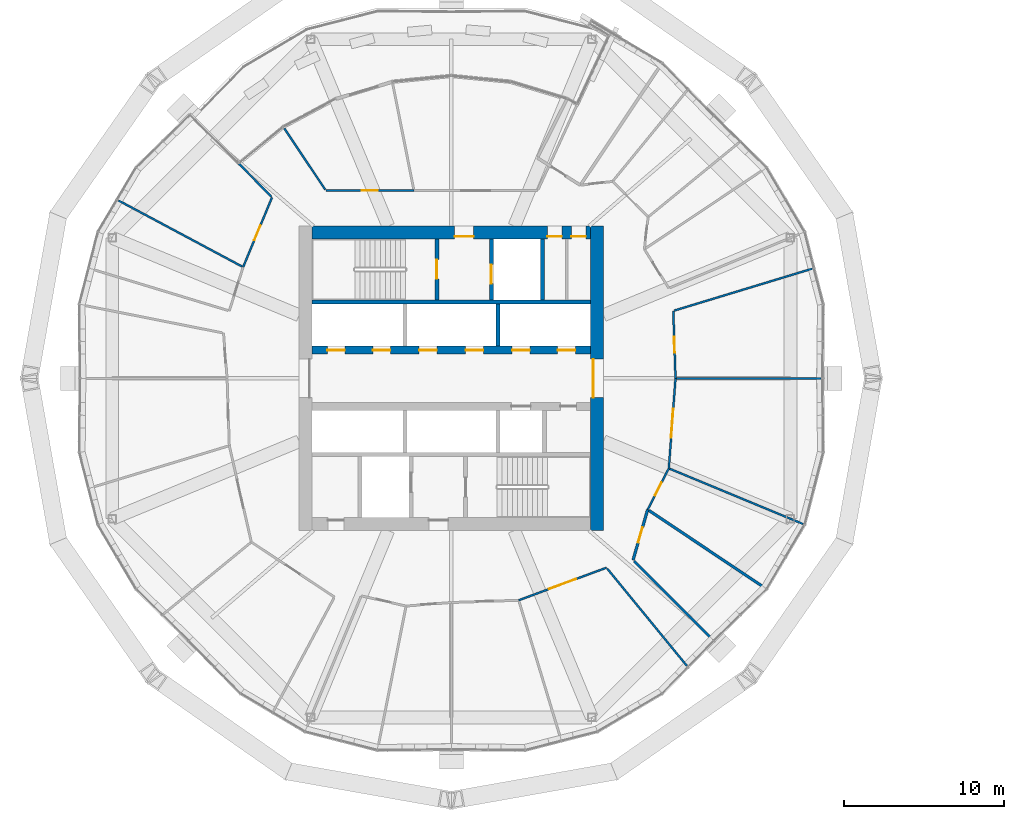
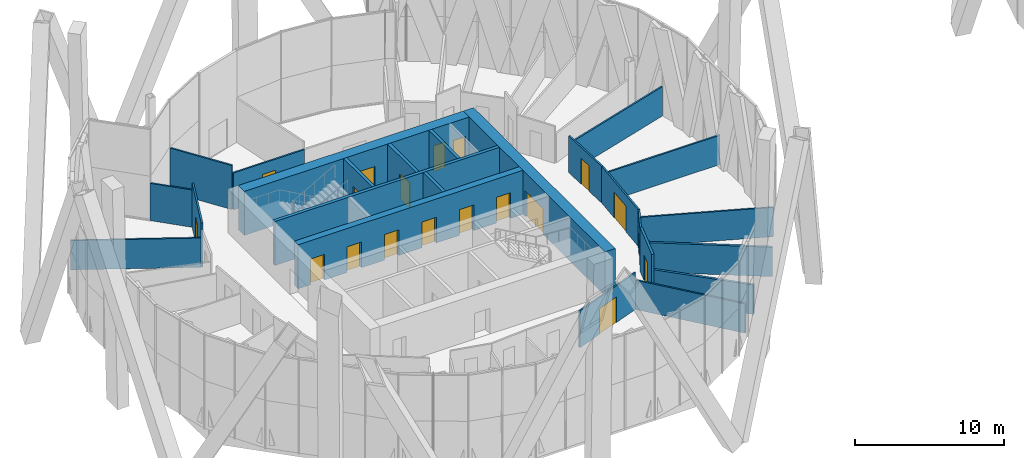
# One storey, part 23 of 31: 24 walls, 19 doors, 19 openings.
"""IFC4 building model written with IfcOpenShell, lengths in metres."""

from ifc_helpers import new_model, si_unit, direction, frame, frame_2d, origin, place, context, subcontext, project, spatial, rectangle, extrude, material, layer, layer_set, type_object, element, fill, save


model = new_model("IFC4")

# Units and contexts
model_context = context("Model", 3, precision=1e-05, world=origin(), true_north=direction((0.0, 1.0)))
body_context = subcontext(model_context, "Body", "Model", "MODEL_VIEW")
ifc_project = project(units=[si_unit("LENGTHUNIT", "METRE"), si_unit("AREAUNIT", "SQUARE_METRE"), si_unit("VOLUMEUNIT", "CUBIC_METRE"), si_unit("PLANEANGLEUNIT", "RADIAN"), si_unit("MASSUNIT", "GRAM", prefix="KILO")], contexts=[model_context])

# Site, building, storey
site_placement = place(None, origin())
site = spatial("IfcSite", under=ifc_project, at=site_placement, CompositionType="ELEMENT")
building_placement = place(site_placement, origin())
building = spatial("IfcBuilding", under=site, at=building_placement, Name="Ogive Gate Towers", CompositionType="ELEMENT")
storey_placement = place(building_placement, frame((0.0, 0.0, 55.800048828125)))
storey = spatial("IfcBuildingStorey", under=building, at=storey_placement, Name="L12", CompositionType="ELEMENT", Elevation=55.800048828125)

# Walls
ifc_material_1 = material(Name="Gypsum board acoustic partition")
ifc_layer_1 = layer(ifc_material_1, 0.175048828125)
ifc_layer_set_1 = layer_set([ifc_layer_1], Name="Acoustic partition 175")
wall_type_1 = type_object("IfcWallType", Name="Acoustic partition 175", PredefinedType="PARTITIONING", material=ifc_layer_set_1)
wall_1_placement = place(storey_placement, frame((-19.69482421875, -16.30517578125, 0.0), z_axis=(0.0, 0.0, 1.0), x_axis=(-0.707106781187, 0.707106781187, 0.0)))
element("IfcWall", 1, at=wall_1_placement, inside=storey, type_object=wall_type_1, Name="Partition T1-L12-025", PredefinedType="PARTITIONING", context=body_context, shape_type="SweptSolid", body=[
    extrude(rectangle(XDim=6.931640625, YDim=0.175048828125, at=frame_2d((3.4658203125, 0.0))), origin(), (0.0, 0.0, 1.0), 2.39990234375),
])
wall_2_placement = place(storey_placement, frame((-16.415283203125, -13.095458984375, 0.0), z_axis=(0.0, 0.0, 1.0), x_axis=(-0.831288104006, 0.555841783368, 0.0)))
element("IfcWall", 2, at=wall_2_placement, inside=storey, type_object=wall_type_1, Name="Partition T1-L12-026", PredefinedType="PARTITIONING", context=body_context, shape_type="SweptSolid", body=[
    extrude(rectangle(XDim=8.7314453125, YDim=0.175048828125, at=frame_2d((4.36572265625, 0.0))), origin(), (0.0, 0.0, 1.0), 2.39990234375),
])

# Wall, opening, door
wall_3_placement = place(storey_placement, frame((-23.746337890625, -8.193359375, 0.0), z_axis=(0.0, 0.0, 1.0), x_axis=(-0.278103286916, -0.960551176048, 0.0)))
wall_3 = element("IfcWall", 3, at=wall_3_placement, inside=storey, type_object=wall_type_1, Name="Partition T1-L12-040", PredefinedType="PARTITIONING", context=body_context, shape_type="SweptSolid", body=[
    extrude(rectangle(XDim=3.278076171875, YDim=0.175048828125, at=frame_2d((1.63916015625, 0.0))), origin(), (0.0, 0.0, 1.0), 3.599853515625),
])
opening_1_placement = place(wall_3_placement, frame((1.138916015625, 0.0, 0.0)))
opening_1 = element("IfcOpeningElement", 4, at=opening_1_placement, cuts=wall_3, Name="Opening T1-L12-D13", PredefinedType="OPENING", context=body_context, shape_type="SweptSolid", body=[
    extrude(rectangle(XDim=1.0, YDim=2.10009765625, at=frame_2d((0.5, 1.050048828125))), frame((0.0, 0.09765625, 0.0), z_axis=(0.0, -1.0, 0.0), x_axis=(1.0, 0.0, 0.0)), (0.0, 0.0, 1.0), 0.195068359375),
])
ifc_material_2 = material(Name="Timber door", Category="wood")
door_type_1 = type_object("IfcDoorType", Name="Door 1000", OperationType="NOTDEFINED", PredefinedType="DOOR", material=ifc_material_2)
door_1_placement = place(opening_1_placement, origin())
door_1 = element("IfcDoor", 5, at=door_1_placement, inside=storey, type_object=door_type_1, Name="Door T1-L12-D13", OperationType="SINGLE_SWING_LEFT", OverallHeight=2.10009765625, OverallWidth=1.0, PredefinedType="DOOR", context=body_context, shape_type="SweptSolid", body=[
    extrude(rectangle(XDim=1.0, YDim=2.10009765625, at=frame_2d((0.5, 1.050048828125))), frame((0.0, 0.02490234375, 0.0), z_axis=(0.0, -1.0, 0.0), x_axis=(1.0, 0.0, 0.0)), (0.0, 0.0, 1.0), 0.050048828125),
])
fill(opening_1, door_1)

# Wall, openings, doors
ifc_material_3 = material(Name="Concrete C60/75", Category="concrete")
ifc_layer_2 = layer(ifc_material_3, 0.800048828125)
ifc_layer_set_2 = layer_set([ifc_layer_2], Name="Core wall 800 mm")
wall_type_2 = type_object("IfcWallType", Name="Core wall 800 mm", PredefinedType="SHEAR", material=ifc_layer_set_2)
wall_4_placement = place(storey_placement, frame((-44.699951171875, 9.10009765625, 0.0), z_axis=(0.0, 0.0, 1.0), x_axis=(1.0, 0.0, 0.0)))
wall_4 = element("IfcWall", 6, at=wall_4_placement, inside=storey, type_object=wall_type_2, Name="T1 L12 Core wall 800 mm", PredefinedType="SHEAR", context=body_context, shape_type="SweptSolid", body=[
    extrude(rectangle(XDim=17.39990234375, YDim=0.800048828125, at=frame_2d((8.699951171875, 0.0))), origin(), (0.0, 0.0, 1.0), 3.599853515625),
])
opening_2_placement = place(wall_4_placement, frame((8.89990234375, 0.0, 0.0)))
opening_2 = element("IfcOpeningElement", 7, at=opening_2_placement, cuts=wall_4, Name="Opening KD-T1-L12-15", PredefinedType="OPENING", context=body_context, shape_type="SweptSolid", body=[
    extrude(rectangle(XDim=1.199951171875, YDim=2.10009765625, at=frame_2d((0.60009765625, 1.050048828125))), frame((0.0, 0.41015625, 0.0), z_axis=(0.0, -1.0, 0.0), x_axis=(1.0, 0.0, 0.0)), (0.0, 0.0, 1.0), 0.820068359375),
])
opening_3_placement = place(wall_4_placement, frame((14.699951171875, 0.0, 0.0)))
opening_3 = element("IfcOpeningElement", 8, at=opening_3_placement, cuts=wall_4, Name="Opening KD-T1-L12-17", PredefinedType="OPENING", context=body_context, shape_type="SweptSolid", body=[
    extrude(rectangle(XDim=0.89990234375, YDim=2.10009765625, at=frame_2d((0.449951171875, 1.050048828125))), frame((0.0, 0.41015625, 0.0), z_axis=(0.0, -1.0, 0.0), x_axis=(1.0, 0.0, 0.0)), (0.0, 0.0, 1.0), 0.820068359375),
])
opening_4_placement = place(wall_4_placement, frame((16.199951171875, 0.0, 0.0)))
opening_4 = element("IfcOpeningElement", 9, at=opening_4_placement, cuts=wall_4, Name="Opening KD-T1-L12-18", PredefinedType="OPENING", context=body_context, shape_type="SweptSolid", body=[
    extrude(rectangle(XDim=0.89990234375, YDim=2.10009765625, at=frame_2d((0.449951171875, 1.050048828125))), frame((0.0, 0.41015625, 0.0), z_axis=(0.0, -1.0, 0.0), x_axis=(1.0, 0.0, 0.0)), (0.0, 0.0, 1.0), 0.820068359375),
])
door_type_2 = type_object("IfcDoorType", Name="Core WC door 900 x 2100", OperationType="NOTDEFINED", PredefinedType="DOOR", material=ifc_material_2)
door_2_placement = place(opening_3_placement, origin())
door_2 = element("IfcDoor", 10, at=door_2_placement, inside=storey, type_object=door_type_2, Name="T1 L12 Core door", OperationType="SINGLE_SWING_RIGHT", OverallHeight=2.10009765625, OverallWidth=0.89990234375, PredefinedType="DOOR", context=body_context, shape_type="SweptSolid", body=[
    extrude(rectangle(XDim=0.89990234375, YDim=2.10009765625, at=frame_2d((0.449951171875, 1.050048828125))), frame((0.0, -0.22509765625, 0.0), z_axis=(0.0, -1.0, 0.0), x_axis=(1.0, 0.0, 0.0)), (0.0, 0.0, 1.0), 0.050048828125),
])
fill(opening_3, door_2)
door_3_placement = place(opening_4_placement, origin())
door_3 = element("IfcDoor", 11, at=door_3_placement, inside=storey, type_object=door_type_2, Name="T1 L12 Core door", OperationType="SINGLE_SWING_LEFT", OverallHeight=2.10009765625, OverallWidth=0.89990234375, PredefinedType="DOOR", context=body_context, shape_type="SweptSolid", body=[
    extrude(rectangle(XDim=0.89990234375, YDim=2.10009765625, at=frame_2d((0.449951171875, 1.050048828125))), frame((0.0, -0.22509765625, 0.0), z_axis=(0.0, -1.0, 0.0), x_axis=(1.0, 0.0, 0.0)), (0.0, 0.0, 1.0), 0.050048828125),
])
fill(opening_4, door_3)
ifc_material_4 = material(Name="Steel fire door", Category="steel")
door_type_3 = type_object("IfcDoorType", Name="Core door FD60S 1200 x 2100", OperationType="NOTDEFINED", PredefinedType="DOOR", material=ifc_material_4)
door_4_placement = place(opening_2_placement, origin())
door_4 = element("IfcDoor", 12, at=door_4_placement, inside=storey, type_object=door_type_3, Name="T1 L12 Fire-fighting lobby door", OperationType="SINGLE_SWING_RIGHT", OverallHeight=2.10009765625, OverallWidth=1.199951171875, PredefinedType="DOOR", context=body_context, shape_type="SweptSolid", body=[
    extrude(rectangle(XDim=1.199951171875, YDim=2.10009765625, at=frame_2d((0.60009765625, 1.050048828125))), frame((0.0, -0.22509765625, 0.0), z_axis=(0.0, -1.0, 0.0), x_axis=(1.0, 0.0, 0.0)), (0.0, 0.0, 1.0), 0.050048828125),
])
fill(opening_2, door_4)

# Wall, opening, door
wall_5_placement = place(storey_placement, frame((-26.89990234375, -9.5, 0.0), z_axis=(0.0, 0.0, 1.0), x_axis=(0.0, 1.0, 0.0)))
wall_5 = element("IfcWall", 13, at=wall_5_placement, inside=storey, type_object=wall_type_2, Name="T1 L12 Core wall 800 mm", PredefinedType="SHEAR", context=body_context, shape_type="SweptSolid", body=[
    extrude(rectangle(XDim=19.0, YDim=0.800048828125, at=frame_2d((9.5, 0.0))), origin(), (0.0, 0.0, 1.0), 3.599853515625),
])
opening_5_placement = place(wall_5_placement, frame((8.300048828125, 0.0, 0.0)))
opening_5 = element("IfcOpeningElement", 14, at=opening_5_placement, cuts=wall_5, Name="Opening KD-T1-L12-02", PredefinedType="OPENING", context=body_context, shape_type="SweptSolid", body=[
    extrude(rectangle(XDim=2.39990234375, YDim=2.10009765625, at=frame_2d((1.199951171875, 1.050048828125))), frame((0.0, 0.41015625, 0.0), z_axis=(0.0, -1.0, 0.0), x_axis=(1.0, 0.0, 0.0)), (0.0, 0.0, 1.0), 0.820068359375),
])
door_type_4 = type_object("IfcDoorType", Name="Core double door FD60S 2400 x 2100", OperationType="DOUBLE_DOOR_SINGLE_SWING", PredefinedType="DOOR", material=ifc_material_4)
door_5_placement = place(opening_5_placement, origin())
door_5 = element("IfcDoor", 15, at=door_5_placement, inside=storey, type_object=door_type_4, Name="T1 L12 Core door double", OperationType="DOUBLE_DOOR_SINGLE_SWING", OverallHeight=2.10009765625, OverallWidth=2.39990234375, PredefinedType="DOOR", context=body_context, shape_type="SweptSolid", body=[
    extrude(rectangle(XDim=2.39990234375, YDim=2.10009765625, at=frame_2d((1.199951171875, 1.050048828125))), frame((0.0, 0.27490234375, 0.0), z_axis=(0.0, -1.0, 0.0), x_axis=(1.0, 0.0, 0.0)), (0.0, 0.0, 1.0), 0.050048828125),
])
fill(opening_5, door_5)

# Walls
ifc_material_5 = material(Name="Gypsum board partition")
ifc_layer_3 = layer(ifc_material_5, 0.125)
ifc_layer_set_3 = layer_set([ifc_layer_3], Name="Partition 125")
wall_type_3 = type_object("IfcWallType", Name="Partition 125", PredefinedType="PARTITIONING", material=ifc_layer_set_3)
wall_6_placement = place(storey_placement, frame((-12.94091796875, 0.0, 0.0), z_axis=(0.0, 0.0, 1.0), x_axis=(-1.0, 0.0, 0.0)))
element("IfcWall", 16, at=wall_6_placement, inside=storey, type_object=wall_type_3, Name="Partition T1-L12-001", PredefinedType="PARTITIONING", context=body_context, shape_type="SweptSolid", body=[
    extrude(rectangle(XDim=9.006591796875, YDim=0.125, at=frame_2d((4.50341796875, 0.0))), origin(), (0.0, 0.0, 1.0), 2.39990234375),
])
wall_7_placement = place(storey_placement, frame((-13.470458984375, 6.840576171875, 0.0), z_axis=(0.0, 0.0, 1.0), x_axis=(-0.956863756585, -0.290537005102, 0.0)))
element("IfcWall", 17, at=wall_7_placement, inside=storey, type_object=wall_type_3, Name="Partition T1-L12-002", PredefinedType="PARTITIONING", context=body_context, shape_type="SweptSolid", body=[
    extrude(rectangle(XDim=9.00634765625, YDim=0.125, at=frame_2d((4.503173828125, 0.0))), origin(), (0.0, 0.0, 1.0), 2.39990234375),
])
wall_8_placement = place(storey_placement, frame((-46.422119140625, 15.597900390625, 0.0), z_axis=(0.0, 0.0, 1.0), x_axis=(0.555556071931, -0.831479074265, 0.0)))
element("IfcWall", 18, at=wall_8_placement, inside=storey, type_object=wall_type_3, Name="Partition T1-L12-011", PredefinedType="PARTITIONING", context=body_context, shape_type="SweptSolid", body=[
    extrude(rectangle(XDim=4.6064453125, YDim=0.125, at=frame_2d((2.30322265625, 0.0))), origin(), (0.0, 0.0, 1.0), 3.599853515625),
])
wall_9_placement = place(storey_placement, frame((-49.2587890625, 13.400146484375, 0.0), z_axis=(0.0, 0.0, 1.0), x_axis=(0.699487753661, -0.714644584726, 0.0)))
element("IfcWall", 19, at=wall_9_placement, inside=storey, type_object=wall_type_3, Name="Partition T1-L12-012", PredefinedType="PARTITIONING", context=body_context, shape_type="SweptSolid", body=[
    extrude(rectangle(XDim=2.8994140625, YDim=0.125, at=frame_2d((1.44970703125, 0.0))), origin(), (0.0, 0.0, 1.0), 3.050048828125),
])
wall_10_placement = place(storey_placement, frame((-56.767578125, 11.09375, 0.0), z_axis=(0.0, 0.0, 1.0), x_axis=(0.882040161842, -0.471174227753, 0.0)))
element("IfcWall", 20, at=wall_10_placement, inside=storey, type_object=wall_type_3, Name="Partition T1-L12-013", PredefinedType="PARTITIONING", context=body_context, shape_type="SweptSolid", body=[
    extrude(rectangle(XDim=8.75634765625, YDim=0.125, at=frame_2d((4.378173828125, 0.0))), origin(), (0.0, 0.0, 1.0), 2.39990234375),
])
wall_11_placement = place(storey_placement, frame((-21.300048828125, -17.944580078125, 0.0), z_axis=(0.0, 0.0, 1.0), x_axis=(-0.63370640986, 0.773573646205, 0.0)))
element("IfcWall", 21, at=wall_11_placement, inside=storey, type_object=wall_type_3, Name="Partition T1-L12-024", PredefinedType="PARTITIONING", context=body_context, shape_type="SweptSolid", body=[
    extrude(rectangle(XDim=7.856689453125, YDim=0.125, at=frame_2d((3.92822265625, 0.0))), origin(), (0.0, 0.0, 1.0), 2.39990234375),
])
wall_12_placement = place(storey_placement, frame((-14.048583984375, -9.092529296875, 0.0), z_axis=(0.0, 0.0, 1.0), x_axis=(-0.923881704543, 0.382678188575, 0.0)))
element("IfcWall", 22, at=wall_12_placement, inside=storey, type_object=wall_type_3, Name="Partition T1-L12-027", PredefinedType="PARTITIONING", context=body_context, shape_type="SweptSolid", body=[
    extrude(rectangle(XDim=9.00634765625, YDim=0.125, at=frame_2d((4.503173828125, 0.0))), origin(), (0.0, 0.0, 1.0), 2.39990234375),
])

# Wall, opening, door
wall_13_placement = place(storey_placement, frame((-48.989013671875, 6.9384765625, 0.0), z_axis=(0.0, 0.0, 1.0), x_axis=(0.383118712988, 0.923699113217, 0.0)))
wall_13 = element("IfcWall", 23, at=wall_13_placement, inside=storey, type_object=wall_type_3, Name="Partition T1-L12-029", PredefinedType="PARTITIONING", context=body_context, shape_type="SweptSolid", body=[
    extrude(rectangle(XDim=4.7041015625, YDim=0.125, at=frame_2d((2.35205078125, 0.0))), origin(), (0.0, 0.0, 1.0), 3.599853515625),
])
opening_6_placement = place(wall_13_placement, frame((1.818115234375, 0.0, 0.0)))
opening_6 = element("IfcOpeningElement", 24, at=opening_6_placement, cuts=wall_13, Name="Opening T1-L12-D02", PredefinedType="OPENING", context=body_context, shape_type="SweptSolid", body=[
    extrude(rectangle(XDim=1.0, YDim=2.10009765625, at=frame_2d((0.5, 1.050048828125))), frame((0.0, 0.072509765625, 0.0), z_axis=(0.0, -1.0, 0.0), x_axis=(1.0, 0.0, 0.0)), (0.0, 0.0, 1.0), 0.14501953125),
])
door_6_placement = place(opening_6_placement, origin())
door_6 = element("IfcDoor", 25, at=door_6_placement, inside=storey, type_object=door_type_1, Name="Door T1-L12-D02", OperationType="SINGLE_SWING_LEFT", OverallHeight=2.10009765625, OverallWidth=1.0, PredefinedType="DOOR", context=body_context, shape_type="SweptSolid", body=[
    extrude(rectangle(XDim=1.0, YDim=2.10009765625, at=frame_2d((0.5, 1.050048828125))), frame((0.0, 0.02490234375, 0.0), z_axis=(0.0, -1.0, 0.0), x_axis=(1.0, 0.0, 0.0)), (0.0, 0.0, 1.0), 0.050048828125),
])
fill(opening_6, door_6)

wall_14_placement = place(storey_placement, frame((-43.828125, 11.7158203125, 0.0), z_axis=(0.0, 0.0, 1.0), x_axis=(0.999999644153, -0.000843619272, 0.0)))
wall_14 = element("IfcWall", 26, at=wall_14_placement, inside=storey, type_object=wall_type_3, Name="Partition T1-L12-030", PredefinedType="PARTITIONING", context=body_context, shape_type="SweptSolid", body=[
    extrude(rectangle(XDim=5.49853515625, YDim=0.125, at=frame_2d((2.749267578125, 0.0))), origin(), (0.0, 0.0, 1.0), 3.010009765625),
])
opening_7_placement = place(wall_14_placement, frame((2.2490234375, 0.0, 0.0)))
opening_7 = element("IfcOpeningElement", 27, at=opening_7_placement, cuts=wall_14, Name="Opening T1-L12-D03", PredefinedType="OPENING", context=body_context, shape_type="SweptSolid", body=[
    extrude(rectangle(XDim=1.0, YDim=2.10009765625, at=frame_2d((0.5, 1.050048828125))), frame((0.0, 0.072509765625, 0.0), z_axis=(0.0, -1.0, 0.0), x_axis=(1.0, 0.0, 0.0)), (0.0, 0.0, 1.0), 0.14501953125),
])
door_7_placement = place(opening_7_placement, origin())
door_7 = element("IfcDoor", 28, at=door_7_placement, inside=storey, type_object=door_type_1, Name="Door T1-L12-D03", OperationType="SINGLE_SWING_RIGHT", OverallHeight=2.10009765625, OverallWidth=1.0, PredefinedType="DOOR", context=body_context, shape_type="SweptSolid", body=[
    extrude(rectangle(XDim=1.0, YDim=2.10009765625, at=frame_2d((0.5, 1.050048828125))), frame((0.0, 0.02490234375, 0.0), z_axis=(0.0, -1.0, 0.0), x_axis=(1.0, 0.0, 0.0)), (0.0, 0.0, 1.0), 0.050048828125),
])
fill(opening_7, door_7)

wall_15_placement = place(storey_placement, frame((-22.148193359375, 4.205810546875, 0.0), z_axis=(0.0, 0.0, 1.0), x_axis=(0.032837682417, -0.999460697883, 0.0)))
wall_15 = element("IfcWall", 29, at=wall_15_placement, inside=storey, type_object=wall_type_3, Name="Partition T1-L12-037", PredefinedType="PARTITIONING", context=body_context, shape_type="SweptSolid", body=[
    extrude(rectangle(XDim=4.2080078125, YDim=0.125, at=frame_2d((2.10400390625, 0.0))), origin(), (0.0, 0.0, 1.0), 3.0),
])
opening_8_placement = place(wall_15_placement, frame((1.60400390625, 0.0, 0.0)))
opening_8 = element("IfcOpeningElement", 30, at=opening_8_placement, cuts=wall_15, Name="Opening T1-L12-D10", PredefinedType="OPENING", context=body_context, shape_type="SweptSolid", body=[
    extrude(rectangle(XDim=1.0, YDim=2.10009765625, at=frame_2d((0.5, 1.050048828125))), frame((0.0, 0.072509765625, 0.0), z_axis=(0.0, -1.0, 0.0), x_axis=(1.0, 0.0, 0.0)), (0.0, 0.0, 1.0), 0.14501953125),
])
door_8_placement = place(opening_8_placement, origin())
door_8 = element("IfcDoor", 31, at=door_8_placement, inside=storey, type_object=door_type_1, Name="Door T1-L12-D10", OperationType="SINGLE_SWING_RIGHT", OverallHeight=2.10009765625, OverallWidth=1.0, PredefinedType="DOOR", context=body_context, shape_type="SweptSolid", body=[
    extrude(rectangle(XDim=1.0, YDim=2.10009765625, at=frame_2d((0.5, 1.050048828125))), frame((0.0, 0.02490234375, 0.0), z_axis=(0.0, -1.0, 0.0), x_axis=(1.0, 0.0, 0.0)), (0.0, 0.0, 1.0), 0.050048828125),
])
fill(opening_8, door_8)

wall_16_placement = place(storey_placement, frame((-22.010009765625, 0.0, 0.0), z_axis=(0.0, 0.0, 1.0), x_axis=(-0.074010465833, -0.997257464724, 0.0)))
wall_16 = element("IfcWall", 32, at=wall_16_placement, inside=storey, type_object=wall_type_3, Name="Partition T1-L12-038", PredefinedType="PARTITIONING", context=body_context, shape_type="SweptSolid", body=[
    extrude(rectangle(XDim=5.637451171875, YDim=0.125, at=frame_2d((2.81884765625, 0.0))), origin(), (0.0, 0.0, 1.0), 3.0),
])
opening_9_placement = place(wall_16_placement, frame((1.9189453125, 0.0, 0.0)))
opening_9 = element("IfcOpeningElement", 33, at=opening_9_placement, cuts=wall_16, Name="Opening T1-L12-D11", PredefinedType="OPENING", context=body_context, shape_type="SweptSolid", body=[
    extrude(rectangle(XDim=1.800048828125, YDim=2.10009765625, at=frame_2d((0.89990234375, 1.050048828125))), frame((0.0, 0.072509765625, 0.0), z_axis=(0.0, -1.0, 0.0), x_axis=(1.0, 0.0, 0.0)), (0.0, 0.0, 1.0), 0.14501953125),
])
door_type_5 = type_object("IfcDoorType", Name="Door pair 1800", OperationType="NOTDEFINED", PredefinedType="DOOR", material=ifc_material_2)
door_9_placement = place(opening_9_placement, origin())
door_9 = element("IfcDoor", 34, at=door_9_placement, inside=storey, type_object=door_type_5, Name="Door T1-L12-D11", OperationType="DOUBLE_DOOR_DOUBLE_SWING", OverallHeight=2.10009765625, OverallWidth=1.800048828125, PredefinedType="DOOR", context=body_context, shape_type="SweptSolid", body=[
    extrude(rectangle(XDim=1.800048828125, YDim=2.10009765625, at=frame_2d((0.89990234375, 1.050048828125))), frame((0.0, 0.02490234375, 0.0), z_axis=(0.0, -1.0, 0.0), x_axis=(1.0, 0.0, 0.0)), (0.0, 0.0, 1.0), 0.050048828125),
])
fill(opening_9, door_9)

wall_17_placement = place(storey_placement, frame((-22.42724609375, -5.6220703125, 0.0), z_axis=(0.0, 0.0, 1.0), x_axis=(-0.456448706733, -0.889749727801, 0.0)))
wall_17 = element("IfcWall", 35, at=wall_17_placement, inside=storey, type_object=wall_type_3, Name="Partition T1-L12-039", PredefinedType="PARTITIONING", context=body_context, shape_type="SweptSolid", body=[
    extrude(rectangle(XDim=2.889892578125, YDim=0.125, at=frame_2d((1.44482421875, 0.0))), origin(), (0.0, 0.0, 1.0), 3.010009765625),
])
opening_10_placement = place(wall_17_placement, frame((0.9951171875, 0.0, 0.0)))
opening_10 = element("IfcOpeningElement", 36, at=opening_10_placement, cuts=wall_17, Name="Opening T1-L12-D12", PredefinedType="OPENING", context=body_context, shape_type="SweptSolid", body=[
    extrude(rectangle(XDim=0.89990234375, YDim=2.10009765625, at=frame_2d((0.449951171875, 1.050048828125))), frame((0.0, 0.072509765625, 0.0), z_axis=(0.0, -1.0, 0.0), x_axis=(1.0, 0.0, 0.0)), (0.0, 0.0, 1.0), 0.14501953125),
])
door_type_6 = type_object("IfcDoorType", Name="Door 900", OperationType="NOTDEFINED", PredefinedType="DOOR", material=ifc_material_2)
door_10_placement = place(opening_10_placement, origin())
door_10 = element("IfcDoor", 37, at=door_10_placement, inside=storey, type_object=door_type_6, Name="Door T1-L12-D12", OperationType="SINGLE_SWING_RIGHT", OverallHeight=2.10009765625, OverallWidth=0.89990234375, PredefinedType="DOOR", context=body_context, shape_type="SweptSolid", body=[
    extrude(rectangle(XDim=0.89990234375, YDim=2.10009765625, at=frame_2d((0.449951171875, 1.050048828125))), frame((0.0, 0.02490234375, 0.0), z_axis=(0.0, -1.0, 0.0), x_axis=(1.0, 0.0, 0.0)), (0.0, 0.0, 1.0), 0.050048828125),
])
fill(opening_10, door_10)

wall_18_placement = place(storey_placement, frame((-26.318359375, -11.818603515625, 0.0), z_axis=(0.0, 0.0, 1.0), x_axis=(-0.937463075603, -0.348084733765, 0.0)))
wall_18 = element("IfcWall", 38, at=wall_18_placement, inside=storey, type_object=wall_type_3, Name="Partition T1-L12-041", PredefinedType="PARTITIONING", context=body_context, shape_type="SweptSolid", body=[
    extrude(rectangle(XDim=5.841064453125, YDim=0.125, at=frame_2d((2.92041015625, 0.0))), origin(), (0.0, 0.0, 1.0), 3.010009765625),
])
opening_11_placement = place(wall_18_placement, frame((2.02099609375, 0.0, 0.0)))
opening_11 = element("IfcOpeningElement", 39, at=opening_11_placement, cuts=wall_18, Name="Opening T1-L12-D14", PredefinedType="OPENING", context=body_context, shape_type="SweptSolid", body=[
    extrude(rectangle(XDim=1.800048828125, YDim=2.10009765625, at=frame_2d((0.89990234375, 1.050048828125))), frame((0.0, 0.072509765625, 0.0), z_axis=(0.0, -1.0, 0.0), x_axis=(1.0, 0.0, 0.0)), (0.0, 0.0, 1.0), 0.14501953125),
])
door_11_placement = place(opening_11_placement, origin())
door_11 = element("IfcDoor", 40, at=door_11_placement, inside=storey, type_object=door_type_5, Name="Door T1-L12-D14", OperationType="DOUBLE_DOOR_DOUBLE_SWING", OverallHeight=2.10009765625, OverallWidth=1.800048828125, PredefinedType="DOOR", context=body_context, shape_type="SweptSolid", body=[
    extrude(rectangle(XDim=1.800048828125, YDim=2.10009765625, at=frame_2d((0.89990234375, 1.050048828125))), frame((0.0, 0.02490234375, 0.0), z_axis=(0.0, -1.0, 0.0), x_axis=(1.0, 0.0, 0.0)), (0.0, 0.0, 1.0), 0.050048828125),
])
fill(opening_11, door_11)

# Wall
ifc_layer_4 = layer(ifc_material_3, 0.25)
ifc_layer_set_4 = layer_set([ifc_layer_4], Name="Shaft wall 250 mm")
wall_type_4 = type_object("IfcWallType", Name="Shaft wall 250 mm", PredefinedType="SHEAR", material=ifc_layer_set_4)
wall_19_placement = place(storey_placement, frame((-44.699951171875, 4.75, 0.0), z_axis=(0.0, 0.0, 1.0), x_axis=(1.0, 0.0, 0.0)))
element("IfcWall", 41, at=wall_19_placement, inside=storey, type_object=wall_type_4, Name="T1 L12 Shaft wall 250 mm", PredefinedType="SHEAR", context=body_context, shape_type="SweptSolid", body=[
    extrude(rectangle(XDim=17.39990234375, YDim=0.25, at=frame_2d((8.699951171875, 0.0))), origin(), (0.0, 0.0, 1.0), 3.599853515625),
])

# Wall, opening, door
wall_20_placement = place(storey_placement, frame((-36.89990234375, 4.875, 0.0), z_axis=(0.0, 0.0, 1.0), x_axis=(0.0, 1.0, 0.0)))
wall_20 = element("IfcWall", 42, at=wall_20_placement, inside=storey, type_object=wall_type_4, Name="T1 L12 Shaft wall 250 mm", PredefinedType="SHEAR", context=body_context, shape_type="SweptSolid", body=[
    extrude(rectangle(XDim=3.824951171875, YDim=0.25, at=frame_2d((1.91259765625, 0.0))), origin(), (0.0, 0.0, 1.0), 3.599853515625),
])
opening_12_placement = place(wall_20_placement, frame((1.324951171875, 0.0, 0.0)))
opening_12 = element("IfcOpeningElement", 43, at=opening_12_placement, cuts=wall_20, Name="Opening KD-T1-L12-13", PredefinedType="OPENING", context=body_context, shape_type="SweptSolid", body=[
    extrude(rectangle(XDim=1.199951171875, YDim=2.10009765625, at=frame_2d((0.60009765625, 1.050048828125))), frame((0.0, 0.135009765625, 0.0), z_axis=(0.0, -1.0, 0.0), x_axis=(1.0, 0.0, 0.0)), (0.0, 0.0, 1.0), 0.27001953125),
])
door_12_placement = place(opening_12_placement, origin())
door_12 = element("IfcDoor", 44, at=door_12_placement, inside=storey, type_object=door_type_3, Name="T1 L12 Stair door", OperationType="SINGLE_SWING_RIGHT", OverallHeight=2.10009765625, OverallWidth=1.199951171875, PredefinedType="DOOR", context=body_context, shape_type="SweptSolid", body=[
    extrude(rectangle(XDim=1.199951171875, YDim=2.10009765625, at=frame_2d((0.60009765625, 1.050048828125))), frame((0.0, 0.02490234375, 0.0), z_axis=(0.0, -1.0, 0.0), x_axis=(1.0, 0.0, 0.0)), (0.0, 0.0, 1.0), 0.050048828125),
])
fill(opening_12, door_12)

wall_21_placement = place(storey_placement, frame((-33.5, 4.875, 0.0), z_axis=(0.0, 0.0, 1.0), x_axis=(0.0, 1.0, 0.0)))
wall_21 = element("IfcWall", 45, at=wall_21_placement, inside=storey, type_object=wall_type_4, Name="T1 L12 Shaft wall 250 mm", PredefinedType="SHEAR", context=body_context, shape_type="SweptSolid", body=[
    extrude(rectangle(XDim=3.824951171875, YDim=0.25, at=frame_2d((1.91259765625, 0.0))), origin(), (0.0, 0.0, 1.0), 3.599853515625),
])
opening_13_placement = place(wall_21_placement, frame((1.02490234375, 0.0, 0.0)))
opening_13 = element("IfcOpeningElement", 46, at=opening_13_placement, cuts=wall_21, Name="Opening LD-T1-L12-10", PredefinedType="OPENING", context=body_context, shape_type="SweptSolid", body=[
    extrude(rectangle(XDim=1.199951171875, YDim=2.10009765625, at=frame_2d((0.60009765625, 1.050048828125))), frame((0.0, 0.135009765625, 0.0), z_axis=(0.0, -1.0, 0.0), x_axis=(1.0, 0.0, 0.0)), (0.0, 0.0, 1.0), 0.27001953125),
])
ifc_material_6 = material(Name="Stainless steel landing door", Category="steel")
door_type_7 = type_object("IfcDoorType", Name="Landing door 1200 x 2100", OperationType="SLIDING_TO_LEFT", PredefinedType="DOOR", material=ifc_material_6)
door_13_placement = place(opening_13_placement, origin())
door_13 = element("IfcDoor", 47, at=door_13_placement, inside=storey, type_object=door_type_7, Name="T1 L12 Lift landing door FF1", OperationType="SLIDING_TO_LEFT", OverallHeight=2.10009765625, OverallWidth=1.199951171875, PredefinedType="DOOR", context=body_context, shape_type="SweptSolid", body=[
    extrude(rectangle(XDim=1.199951171875, YDim=2.10009765625, at=frame_2d((0.60009765625, 1.050048828125))), frame((0.0, 0.02490234375, 0.0), z_axis=(0.0, -1.0, 0.0), x_axis=(1.0, 0.0, 0.0)), (0.0, 0.0, 1.0), 0.050048828125),
])
fill(opening_13, door_13)

# Walls
wall_22_placement = place(storey_placement, frame((-33.10009765625, 2.0, 0.0), z_axis=(0.0, 0.0, 1.0), x_axis=(0.0, 1.0, 0.0)))
element("IfcWall", 48, at=wall_22_placement, inside=storey, type_object=wall_type_4, Name="T1 L12 Shaft wall 250 mm", PredefinedType="SHEAR", context=body_context, shape_type="SweptSolid", body=[
    extrude(rectangle(XDim=2.625, YDim=0.25, at=frame_2d((1.3125, 0.0))), origin(), (0.0, 0.0, 1.0), 3.599853515625),
])
wall_23_placement = place(storey_placement, frame((-30.300048828125, 4.875, 0.0), z_axis=(0.0, 0.0, 1.0), x_axis=(0.0, 1.0, 0.0)))
element("IfcWall", 49, at=wall_23_placement, inside=storey, type_object=wall_type_4, Name="T1 L12 Shaft wall 250 mm", PredefinedType="SHEAR", context=body_context, shape_type="SweptSolid", body=[
    extrude(rectangle(XDim=3.824951171875, YDim=0.25, at=frame_2d((1.91259765625, 0.0))), origin(), (0.0, 0.0, 1.0), 3.599853515625),
])

# Wall, openings, doors
ifc_layer_5 = layer(ifc_material_3, 0.5)
ifc_layer_set_5 = layer_set([ifc_layer_5], Name="Spine wall 500 mm")
wall_type_5 = type_object("IfcWallType", Name="Spine wall 500 mm", PredefinedType="SHEAR", material=ifc_layer_set_5)
wall_24_placement = place(storey_placement, frame((-44.699951171875, 1.75, 0.0), z_axis=(0.0, 0.0, 1.0), x_axis=(1.0, 0.0, 0.0)))
wall_24 = element("IfcWall", 50, at=wall_24_placement, inside=storey, type_object=wall_type_5, Name="T1 L12 Spine wall 500 mm", PredefinedType="SHEAR", context=body_context, shape_type="SweptSolid", body=[
    extrude(rectangle(XDim=17.39990234375, YDim=0.5, at=frame_2d((8.699951171875, 0.0))), origin(), (0.0, 0.0, 1.0), 3.599853515625),
])
opening_14_placement = place(wall_24_placement, frame((0.96240234375, 0.0, 0.0)))
opening_14 = element("IfcOpeningElement", 51, at=opening_14_placement, cuts=wall_24, Name="Opening LD-T1-L12-03", PredefinedType="OPENING", context=body_context, shape_type="SweptSolid", body=[
    extrude(rectangle(XDim=1.10009765625, YDim=2.10009765625, at=frame_2d((0.550048828125, 1.050048828125))), frame((0.0, 0.260009765625, 0.0), z_axis=(0.0, -1.0, 0.0), x_axis=(1.0, 0.0, 0.0)), (0.0, 0.0, 1.0), 0.52001953125),
])
opening_15_placement = place(wall_24_placement, frame((3.800048828125, 0.0, 0.0)))
opening_15 = element("IfcOpeningElement", 52, at=opening_15_placement, cuts=wall_24, Name="Opening LD-T1-L12-04", PredefinedType="OPENING", context=body_context, shape_type="SweptSolid", body=[
    extrude(rectangle(XDim=1.10009765625, YDim=2.10009765625, at=frame_2d((0.550048828125, 1.050048828125))), frame((0.0, 0.260009765625, 0.0), z_axis=(0.0, -1.0, 0.0), x_axis=(1.0, 0.0, 0.0)), (0.0, 0.0, 1.0), 0.52001953125),
])
opening_16_placement = place(wall_24_placement, frame((6.699951171875, 0.0, 0.0)))
opening_16 = element("IfcOpeningElement", 53, at=opening_16_placement, cuts=wall_24, Name="Opening LD-T1-L12-05", PredefinedType="OPENING", context=body_context, shape_type="SweptSolid", body=[
    extrude(rectangle(XDim=1.10009765625, YDim=2.10009765625, at=frame_2d((0.550048828125, 1.050048828125))), frame((0.0, 0.260009765625, 0.0), z_axis=(0.0, -1.0, 0.0), x_axis=(1.0, 0.0, 0.0)), (0.0, 0.0, 1.0), 0.52001953125),
])
opening_17_placement = place(wall_24_placement, frame((9.60009765625, 0.0, 0.0)))
opening_17 = element("IfcOpeningElement", 54, at=opening_17_placement, cuts=wall_24, Name="Opening LD-T1-L12-06", PredefinedType="OPENING", context=body_context, shape_type="SweptSolid", body=[
    extrude(rectangle(XDim=1.10009765625, YDim=2.10009765625, at=frame_2d((0.550048828125, 1.050048828125))), frame((0.0, 0.260009765625, 0.0), z_axis=(0.0, -1.0, 0.0), x_axis=(1.0, 0.0, 0.0)), (0.0, 0.0, 1.0), 0.52001953125),
])
opening_18_placement = place(wall_24_placement, frame((12.5, 0.0, 0.0)))
opening_18 = element("IfcOpeningElement", 55, at=opening_18_placement, cuts=wall_24, Name="Opening LD-T1-L12-07", PredefinedType="OPENING", context=body_context, shape_type="SweptSolid", body=[
    extrude(rectangle(XDim=1.10009765625, YDim=2.10009765625, at=frame_2d((0.550048828125, 1.050048828125))), frame((0.0, 0.260009765625, 0.0), z_axis=(0.0, -1.0, 0.0), x_axis=(1.0, 0.0, 0.0)), (0.0, 0.0, 1.0), 0.52001953125),
])
opening_19_placement = place(wall_24_placement, frame((15.33740234375, 0.0, 0.0)))
opening_19 = element("IfcOpeningElement", 56, at=opening_19_placement, cuts=wall_24, Name="Opening LD-T1-L12-08", PredefinedType="OPENING", context=body_context, shape_type="SweptSolid", body=[
    extrude(rectangle(XDim=1.10009765625, YDim=2.10009765625, at=frame_2d((0.550048828125, 1.050048828125))), frame((0.0, 0.260009765625, 0.0), z_axis=(0.0, -1.0, 0.0), x_axis=(1.0, 0.0, 0.0)), (0.0, 0.0, 1.0), 0.52001953125),
])
door_type_8 = type_object("IfcDoorType", Name="Landing door 1100 x 2100", OperationType="SLIDING_TO_LEFT", PredefinedType="DOOR", material=ifc_material_6)
door_14_placement = place(opening_14_placement, origin())
door_14 = element("IfcDoor", 57, at=door_14_placement, inside=storey, type_object=door_type_8, Name="T1 L12 Lift landing door A1", OperationType="SLIDING_TO_LEFT", OverallHeight=2.10009765625, OverallWidth=1.10009765625, PredefinedType="DOOR", context=body_context, shape_type="SweptSolid", body=[
    extrude(rectangle(XDim=1.10009765625, YDim=2.10009765625, at=frame_2d((0.550048828125, 1.050048828125))), frame((0.0, 0.02490234375, 0.0), z_axis=(0.0, -1.0, 0.0), x_axis=(1.0, 0.0, 0.0)), (0.0, 0.0, 1.0), 0.050048828125),
])
fill(opening_14, door_14)
door_15_placement = place(opening_15_placement, origin())
door_15 = element("IfcDoor", 58, at=door_15_placement, inside=storey, type_object=door_type_8, Name="T1 L12 Lift landing door A2", OperationType="SLIDING_TO_LEFT", OverallHeight=2.10009765625, OverallWidth=1.10009765625, PredefinedType="DOOR", context=body_context, shape_type="SweptSolid", body=[
    extrude(rectangle(XDim=1.10009765625, YDim=2.10009765625, at=frame_2d((0.550048828125, 1.050048828125))), frame((0.0, 0.02490234375, 0.0), z_axis=(0.0, -1.0, 0.0), x_axis=(1.0, 0.0, 0.0)), (0.0, 0.0, 1.0), 0.050048828125),
])
fill(opening_15, door_15)
door_16_placement = place(opening_16_placement, origin())
door_16 = element("IfcDoor", 59, at=door_16_placement, inside=storey, type_object=door_type_8, Name="T1 L12 Lift landing door A3", OperationType="SLIDING_TO_LEFT", OverallHeight=2.10009765625, OverallWidth=1.10009765625, PredefinedType="DOOR", context=body_context, shape_type="SweptSolid", body=[
    extrude(rectangle(XDim=1.10009765625, YDim=2.10009765625, at=frame_2d((0.550048828125, 1.050048828125))), frame((0.0, 0.02490234375, 0.0), z_axis=(0.0, -1.0, 0.0), x_axis=(1.0, 0.0, 0.0)), (0.0, 0.0, 1.0), 0.050048828125),
])
fill(opening_16, door_16)
door_17_placement = place(opening_17_placement, origin())
door_17 = element("IfcDoor", 60, at=door_17_placement, inside=storey, type_object=door_type_8, Name="T1 L12 Lift landing door A4", OperationType="SLIDING_TO_LEFT", OverallHeight=2.10009765625, OverallWidth=1.10009765625, PredefinedType="DOOR", context=body_context, shape_type="SweptSolid", body=[
    extrude(rectangle(XDim=1.10009765625, YDim=2.10009765625, at=frame_2d((0.550048828125, 1.050048828125))), frame((0.0, 0.02490234375, 0.0), z_axis=(0.0, -1.0, 0.0), x_axis=(1.0, 0.0, 0.0)), (0.0, 0.0, 1.0), 0.050048828125),
])
fill(opening_17, door_17)
door_18_placement = place(opening_18_placement, origin())
door_18 = element("IfcDoor", 61, at=door_18_placement, inside=storey, type_object=door_type_8, Name="T1 L12 Lift landing door A5", OperationType="SLIDING_TO_LEFT", OverallHeight=2.10009765625, OverallWidth=1.10009765625, PredefinedType="DOOR", context=body_context, shape_type="SweptSolid", body=[
    extrude(rectangle(XDim=1.10009765625, YDim=2.10009765625, at=frame_2d((0.550048828125, 1.050048828125))), frame((0.0, 0.02490234375, 0.0), z_axis=(0.0, -1.0, 0.0), x_axis=(1.0, 0.0, 0.0)), (0.0, 0.0, 1.0), 0.050048828125),
])
fill(opening_18, door_18)
door_19_placement = place(opening_19_placement, origin())
door_19 = element("IfcDoor", 62, at=door_19_placement, inside=storey, type_object=door_type_8, Name="T1 L12 Lift landing door A6", OperationType="SLIDING_TO_LEFT", OverallHeight=2.10009765625, OverallWidth=1.10009765625, PredefinedType="DOOR", context=body_context, shape_type="SweptSolid", body=[
    extrude(rectangle(XDim=1.10009765625, YDim=2.10009765625, at=frame_2d((0.550048828125, 1.050048828125))), frame((0.0, 0.02490234375, 0.0), z_axis=(0.0, -1.0, 0.0), x_axis=(1.0, 0.0, 0.0)), (0.0, 0.0, 1.0), 0.050048828125),
])
fill(opening_19, door_19)

save(model, "model.ifc")
